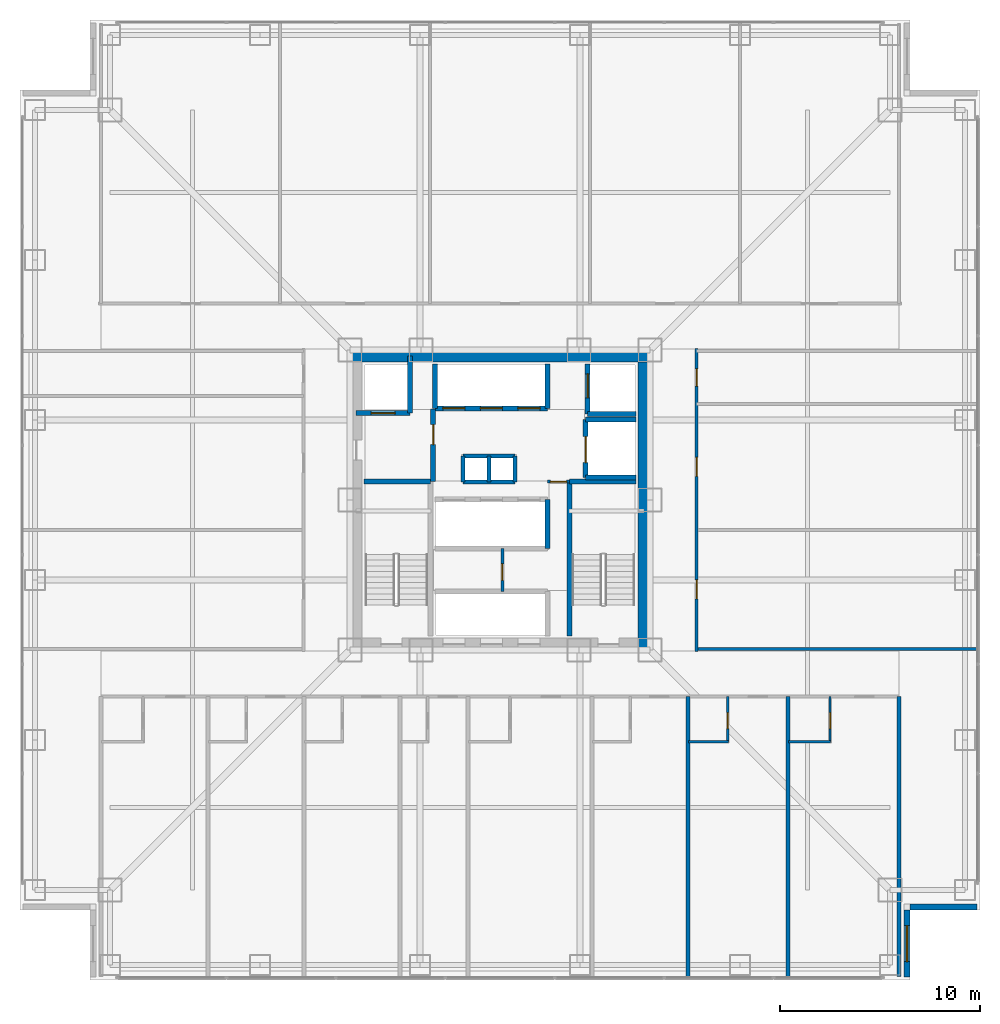
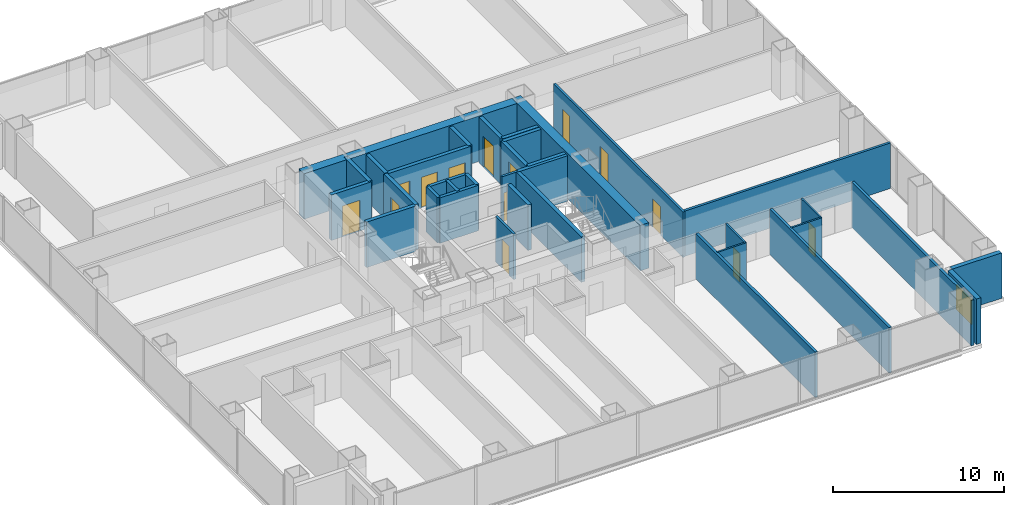
# One storey, part 16 of 20: 35 walls, 14 doors, 1 window, 15 openings.
"""IFC4 building model written with IfcOpenShell, lengths in metres."""

from ifc_helpers import new_model, si_unit, direction, frame, frame_2d, origin, place, context, subcontext, project, spatial, rectangle, extrude, material, layer, layer_set, type_object, element, fill, save


model = new_model("IFC4")

# Units and contexts
model_context = context("Model", 3, precision=1e-05, world=origin(), true_north=direction((0.0, 1.0)))
body_context = subcontext(model_context, "Body", "Model", "MODEL_VIEW")
ifc_project = project(units=[si_unit("LENGTHUNIT", "METRE"), si_unit("AREAUNIT", "SQUARE_METRE"), si_unit("VOLUMEUNIT", "CUBIC_METRE"), si_unit("PLANEANGLEUNIT", "RADIAN"), si_unit("MASSUNIT", "GRAM", prefix="KILO")], contexts=[model_context])

# Site, building, storey
site_placement = place(None, origin())
site = spatial("IfcSite", under=ifc_project, at=site_placement, CompositionType="ELEMENT")
building_placement = place(site_placement, origin())
building = spatial("IfcBuilding", under=site, at=building_placement, Name="Trevonay Congress Spire", CompositionType="ELEMENT")
storey_placement = place(building_placement, frame((0.0, 0.0, 62.0)))
storey = spatial("IfcBuildingStorey", under=building, at=storey_placement, Name="L15", CompositionType="ELEMENT", Elevation=62.0)

# Wall, opening, door
ifc_material_1 = material(Name="Concrete C40/50", Category="concrete")
ifc_layer_1 = layer(ifc_material_1, 0.1201171875, Name="Concrete C40/50")
ifc_layer_set_1 = layer_set([ifc_layer_1], Name="Concrete C40/50")
wall_type_1 = type_object("IfcWallType", Name="WAL-BATH-120", PredefinedType="PLUMBINGWALL", material=ifc_layer_set_1)
wall_1_placement = place(storey_placement, frame((11.388916015625, -12.080078125, 0.0), z_axis=(0.0, 0.0, 1.0), x_axis=(0.0, 1.0, 0.0)))
wall_1 = element("IfcWall", 1, at=wall_1_placement, inside=storey, type_object=wall_type_1, Name="L15 interior wall WH-L15S-BS7", PredefinedType="PLUMBINGWALL", context=body_context, shape_type="SweptSolid", body=[
    extrude(rectangle(XDim=2.25, YDim=0.1201171875, at=frame_2d((1.125, 0.0))), origin(), (0.0, 0.0, 1.0), 3.25),
])
opening_1_placement = place(wall_1_placement, frame((0.64990234375, 0.0, 0.0)))
opening_1 = element("IfcOpeningElement", 2, at=opening_1_placement, cuts=wall_1, Name="Opening D11", PredefinedType="OPENING", context=body_context, shape_type="SweptSolid", body=[
    extrude(rectangle(XDim=0.800048828125, YDim=2.050048828125, at=frame_2d((0.39990234375, 1.02490234375))), frame((0.0, 0.070068359375, 0.0), z_axis=(0.0, -1.0, 0.0), x_axis=(1.0, 0.0, 0.0)), (0.0, 0.0, 1.0), 0.14013671875),
])
ifc_material_2 = material(Name="Pale Anodised Aluminium EN AW-6063-T6", Category="aluminium")
door_type_1 = type_object("IfcDoorType", Name="DOR-BATH-80", OperationType="NOTDEFINED", PredefinedType="DOOR", material=ifc_material_2)
door_1_placement = place(opening_1_placement, origin())
door_1 = element("IfcDoor", 3, at=door_1_placement, inside=storey, type_object=door_type_1, Name="L15 En-suite Bathroom Door", OperationType="SINGLE_SWING_LEFT", OverallHeight=2.050048828125, OverallWidth=0.800048828125, PredefinedType="DOOR", context=body_context, shape_type="SweptSolid", body=[
    extrude(rectangle(XDim=0.800048828125, YDim=2.050048828125, at=frame_2d((0.39990234375, 1.02490234375))), frame((0.0, 0.02490234375, 0.0), z_axis=(0.0, -1.0, 0.0), x_axis=(1.0, 0.0, 0.0)), (0.0, 0.0, 1.0), 0.050048828125),
])
fill(opening_1, door_1)

# Wall
wall_2_placement = place(storey_placement, frame((9.429931640625, -12.080078125, 0.0), z_axis=(0.0, 0.0, 1.0), x_axis=(1.0, 0.0, 0.0)))
element("IfcWall", 4, at=wall_2_placement, inside=storey, type_object=wall_type_1, Name="L15 interior wall WH-L15S-BF7", PredefinedType="PLUMBINGWALL", context=body_context, shape_type="SweptSolid", body=[
    extrude(rectangle(XDim=1.989013671875, YDim=0.1201171875, at=frame_2d((0.99462890625, 0.0))), origin(), (0.0, 0.0, 1.0), 3.25),
])

# Wall, opening, door
wall_3_placement = place(storey_placement, frame((16.5, -12.080078125, 0.0), z_axis=(0.0, 0.0, 1.0), x_axis=(0.0, 1.0, 0.0)))
wall_3 = element("IfcWall", 5, at=wall_3_placement, inside=storey, type_object=wall_type_1, Name="L15 interior wall WH-L15S-BS8", PredefinedType="PLUMBINGWALL", context=body_context, shape_type="SweptSolid", body=[
    extrude(rectangle(XDim=2.25, YDim=0.1201171875, at=frame_2d((1.125, 0.0))), origin(), (0.0, 0.0, 1.0), 3.25),
])
opening_2_placement = place(wall_3_placement, frame((0.64990234375, 0.0, 0.0)))
opening_2 = element("IfcOpeningElement", 6, at=opening_2_placement, cuts=wall_3, Name="Opening D11", PredefinedType="OPENING", context=body_context, shape_type="SweptSolid", body=[
    extrude(rectangle(XDim=0.800048828125, YDim=2.050048828125, at=frame_2d((0.39990234375, 1.02490234375))), frame((0.0, 0.070068359375, 0.0), z_axis=(0.0, -1.0, 0.0), x_axis=(1.0, 0.0, 0.0)), (0.0, 0.0, 1.0), 0.14013671875),
])
door_2_placement = place(opening_2_placement, origin())
door_2 = element("IfcDoor", 7, at=door_2_placement, inside=storey, type_object=door_type_1, Name="L15 En-suite Bathroom Door", OperationType="SINGLE_SWING_RIGHT", OverallHeight=2.050048828125, OverallWidth=0.800048828125, PredefinedType="DOOR", context=body_context, shape_type="SweptSolid", body=[
    extrude(rectangle(XDim=0.800048828125, YDim=2.050048828125, at=frame_2d((0.39990234375, 1.02490234375))), frame((0.0, 0.02490234375, 0.0), z_axis=(0.0, -1.0, 0.0), x_axis=(1.0, 0.0, 0.0)), (0.0, 0.0, 1.0), 0.050048828125),
])
fill(opening_2, door_2)

# Walls
wall_4_placement = place(storey_placement, frame((14.429931640625, -12.080078125, 0.0), z_axis=(0.0, 0.0, 1.0), x_axis=(1.0, 0.0, 0.0)))
element("IfcWall", 8, at=wall_4_placement, inside=storey, type_object=wall_type_1, Name="L15 interior wall WH-L15S-BF8", PredefinedType="PLUMBINGWALL", context=body_context, shape_type="SweptSolid", body=[
    extrude(rectangle(XDim=2.10009765625, YDim=0.1201171875, at=frame_2d((1.050048828125, 0.0))), origin(), (0.0, 0.0, 1.0), 3.25),
])
ifc_material_3 = material(Name="Concrete C60/75", Category="concrete")
ifc_layer_2 = layer(ifc_material_3, 0.60009765625, Name="Concrete C60/75")
ifc_layer_set_2 = layer_set([ifc_layer_2], Name="Concrete C60/75")
wall_type_2 = type_object("IfcWallType", Name="WAL-CORE-600", PredefinedType="SHEAR", material=ifc_layer_set_2)
for number, where, z_axis, x_axis, name in (
    (9, (-7.5, 7.199951171875, 0.0), (0.0, 0.0, 1.0), (1.0, 0.0, 0.0), "L15 North structural core shear wall"),
    (10, (7.199951171875, -7.5, 0.0), (0.0, 0.0, 1.0), (0.0, 1.0, 0.0), "L15 East structural core shear wall"),
):
    element("IfcWall", number, at=place(storey_placement, frame(where, z_axis=z_axis, x_axis=x_axis)), inside=storey, type_object=wall_type_2, Name=name, PredefinedType="SHEAR", context=body_context, shape_type="SweptSolid", body=[
        extrude(rectangle(XDim=15.0, YDim=0.60009765625, at=frame_2d((7.5, 0.0))), origin(), (0.0, 0.0, 1.0), 3.25),
    ])

# Wall, openings, doors
ifc_layer_3 = layer(ifc_material_1, 0.14990234375, Name="Concrete C40/50")
ifc_layer_set_3 = layer_set([ifc_layer_3], Name="Concrete C40/50")
wall_type_3 = type_object("IfcWallType", Name="WAL-CORR-150", PredefinedType="PARTITIONING", material=ifc_layer_set_3)
wall_5_placement = place(storey_placement, frame((9.830078125, -7.570068359375, 0.0), z_axis=(0.0, 0.0, 1.0), x_axis=(0.0, 1.0, 0.0)))
wall_5 = element("IfcWall", 11, at=wall_5_placement, inside=storey, type_object=wall_type_3, Name="L15 interior wall WP-L15E-COR", PredefinedType="PARTITIONING", context=body_context, shape_type="SweptSolid", body=[
    extrude(rectangle(XDim=15.14013671875, YDim=0.14990234375, at=frame_2d((7.570068359375, 0.0))), origin(), (0.0, 0.0, 1.0), 3.25),
])
opening_3_placement = place(wall_5_placement, frame((2.6201171875, 0.0, 0.0)))
opening_3 = element("IfcOpeningElement", 12, at=opening_3_placement, cuts=wall_5, Name="Opening D07", PredefinedType="OPENING", context=body_context, shape_type="SweptSolid", body=[
    extrude(rectangle(XDim=0.949951171875, YDim=2.06005859375, at=frame_2d((0.47509765625, 1.030029296875))), frame((0.0, 0.0849609375, 0.0), z_axis=(0.0, -1.0, 0.0), x_axis=(1.0, 0.0, 0.0)), (0.0, 0.0, 1.0), 0.169921875),
])
opening_4_placement = place(wall_5_placement, frame((8.7451171875, 0.0, 0.0)))
opening_4 = element("IfcOpeningElement", 13, at=opening_4_placement, cuts=wall_5, Name="Opening D07", PredefinedType="OPENING", context=body_context, shape_type="SweptSolid", body=[
    extrude(rectangle(XDim=0.949951171875, YDim=2.06005859375, at=frame_2d((0.47509765625, 1.030029296875))), frame((0.0, 0.0849609375, 0.0), z_axis=(0.0, -1.0, 0.0), x_axis=(1.0, 0.0, 0.0)), (0.0, 0.0, 1.0), 0.169921875),
])
opening_5_placement = place(wall_5_placement, frame((13.27001953125, 0.0, 0.0)))
opening_5 = element("IfcOpeningElement", 14, at=opening_5_placement, cuts=wall_5, Name="Opening D10", PredefinedType="OPENING", context=body_context, shape_type="SweptSolid", body=[
    extrude(rectangle(XDim=0.85009765625, YDim=2.050048828125, at=frame_2d((0.425048828125, 1.02490234375))), frame((0.0, 0.0849609375, 0.0), z_axis=(0.0, -1.0, 0.0), x_axis=(1.0, 0.0, 0.0)), (0.0, 0.0, 1.0), 0.169921875),
])
door_type_2 = type_object("IfcDoorType", Name="DOR-OFFICE-95", OperationType="NOTDEFINED", PredefinedType="DOOR", material=ifc_material_2)
door_3_placement = place(opening_3_placement, origin())
door_3 = element("IfcDoor", 15, at=door_3_placement, inside=storey, type_object=door_type_2, Name="L15 Housekeeping and Linen Room Door", OperationType="SINGLE_SWING_RIGHT", OverallHeight=2.06005859375, OverallWidth=0.949951171875, PredefinedType="DOOR", context=body_context, shape_type="SweptSolid", body=[
    extrude(rectangle(XDim=0.949951171875, YDim=2.06005859375, at=frame_2d((0.47509765625, 1.030029296875))), frame((0.0, 0.02490234375, 0.0), z_axis=(0.0, -1.0, 0.0), x_axis=(1.0, 0.0, 0.0)), (0.0, 0.0, 1.0), 0.050048828125),
])
fill(opening_3, door_3)
door_4_placement = place(opening_4_placement, origin())
door_4 = element("IfcDoor", 16, at=door_4_placement, inside=storey, type_object=door_type_2, Name="L15 Club Pantry Kitchen Door", OperationType="SINGLE_SWING_LEFT", OverallHeight=2.06005859375, OverallWidth=0.949951171875, PredefinedType="DOOR", context=body_context, shape_type="SweptSolid", body=[
    extrude(rectangle(XDim=0.949951171875, YDim=2.06005859375, at=frame_2d((0.47509765625, 1.030029296875))), frame((0.0, 0.02490234375, 0.0), z_axis=(0.0, -1.0, 0.0), x_axis=(1.0, 0.0, 0.0)), (0.0, 0.0, 1.0), 0.050048828125),
])
fill(opening_4, door_4)
door_type_3 = type_object("IfcDoorType", Name="DOR-WC-85", OperationType="NOTDEFINED", PredefinedType="DOOR", material=ifc_material_2)
door_5_placement = place(opening_5_placement, origin())
door_5 = element("IfcDoor", 17, at=door_5_placement, inside=storey, type_object=door_type_3, Name="L15 Female Restroom WC Door", OperationType="SINGLE_SWING_RIGHT", OverallHeight=2.050048828125, OverallWidth=0.85009765625, PredefinedType="DOOR", context=body_context, shape_type="SweptSolid", body=[
    extrude(rectangle(XDim=0.85009765625, YDim=2.050048828125, at=frame_2d((0.425048828125, 1.02490234375))), frame((0.0, 0.02490234375, 0.0), z_axis=(0.0, -1.0, 0.0), x_axis=(1.0, 0.0, 0.0)), (0.0, 0.0, 1.0), 0.050048828125),
])
fill(opening_5, door_5)

# Wall, opening, window
ifc_material_4 = material(Name="Precast concrete C40/50", Category="concrete")
ifc_layer_4 = layer(ifc_material_4, 0.300048828125, Name="Precast concrete C40/50")
ifc_layer_set_4 = layer_set([ifc_layer_4], Name="Precast concrete C40/50")
wall_type_4 = type_object("IfcWallType", Name="WAL-EXT-PRECAST-300", PredefinedType="SOLIDWALL", material=ifc_layer_set_4)
wall_6_placement = place(storey_placement, frame((20.35009765625, -23.85009765625, 0.0), z_axis=(0.0, 0.0, 1.0), x_axis=(0.0, 1.0, 0.0)))
wall_6 = element("IfcWall", 18, at=wall_6_placement, inside=storey, type_object=wall_type_4, Name="L15 SE re-entrant notch exterior wall 1", PredefinedType="SOLIDWALL", context=body_context, shape_type="SweptSolid", body=[
    extrude(rectangle(XDim=3.35009765625, YDim=0.300048828125, at=frame_2d((1.675048828125, 0.0))), origin(), (0.0, 0.0, 1.0), 3.25),
])
opening_6_placement = place(wall_6_placement, frame((0.77490234375, 0.0, 0.89990234375)))
opening_6 = element("IfcOpeningElement", 19, at=opening_6_placement, cuts=wall_6, Name="Opening WN01", PredefinedType="OPENING", context=body_context, shape_type="SweptSolid", body=[
    extrude(rectangle(XDim=1.800048828125, YDim=1.800048828125, at=frame_2d((0.89990234375, 0.89990234375))), frame((0.0, 0.16015625, 0.0), z_axis=(0.0, -1.0, 0.0), x_axis=(1.0, 0.0, 0.0)), (0.0, 0.0, 1.0), 0.320068359375),
])
ifc_material_5 = material(Name="Insulated Low-E Vision Glass IGU", Category="glass")
window_type = type_object("IfcWindowType", Name="WIN-HOTEL-180X180", PartitioningType="SINGLE_PANEL", PredefinedType="WINDOW", material=ifc_material_5)
window_placement = place(opening_6_placement, origin())
window = element("IfcWindow", 20, at=window_placement, inside=storey, type_object=window_type, Name="L15 SE corner notch window", OverallHeight=1.800048828125, OverallWidth=1.800048828125, PartitioningType="SINGLE_PANEL", PredefinedType="WINDOW", context=body_context, shape_type="SweptSolid", body=[
    extrude(rectangle(XDim=1.800048828125, YDim=1.800048828125, at=frame_2d((0.89990234375, 0.89990234375))), frame((0.0, 0.030029296875, 0.0), z_axis=(0.0, -1.0, 0.0), x_axis=(1.0, 0.0, 0.0)), (0.0, 0.0, 1.0), 0.06005859375),
])
fill(opening_6, window)

# Walls
wall_7_placement = place(storey_placement, frame((23.85009765625, -20.35009765625, 0.0), z_axis=(0.0, 0.0, 1.0), x_axis=(-1.0, 0.0, 0.0)))
element("IfcWall", 21, at=wall_7_placement, inside=storey, type_object=wall_type_4, Name="L15 SE re-entrant notch exterior wall 2", PredefinedType="SOLIDWALL", context=body_context, shape_type="SweptSolid", body=[
    extrude(rectangle(XDim=3.35009765625, YDim=0.300048828125, at=frame_2d((1.675048828125, 0.0))), origin(), (0.0, 0.0, 1.0), 3.25),
])
ifc_layer_5 = layer(ifc_material_1, 0.179931640625, Name="Concrete C40/50")
ifc_layer_set_5 = layer_set([ifc_layer_5], Name="Concrete C40/50")
wall_type_5 = type_object("IfcWallType", Name="WAL-HOTEL-180", PredefinedType="PARTITIONING", material=ifc_layer_set_5)
for number, where, z_axis, x_axis, name in (
    (22, (9.39990234375, -23.820068359375, 0.0), (0.0, 0.0, 1.0), (0.0, 1.0, 0.0), "L15 interior wall WH-L15S-DIV7"),
    (23, (14.39990234375, -23.820068359375, 0.0), (0.0, 0.0, 1.0), (0.0, 1.0, 0.0), "L15 interior wall WH-L15S-DIV8"),
    (24, (19.949951171875, -23.820068359375, 0.0), (0.0, 0.0, 1.0), (0.0, 1.0, 0.0), "L15 interior wall WH-L15S-DIV9"),
):
    element("IfcWall", number, at=place(storey_placement, frame(where, z_axis=z_axis, x_axis=x_axis)), inside=storey, type_object=wall_type_5, Name=name, PredefinedType="PARTITIONING", context=body_context, shape_type="SweptSolid", body=[
        extrude(rectangle(XDim=13.989990234375, YDim=0.179931640625, at=frame_2d((6.9951171875, 0.0))), origin(), (0.0, 0.0, 1.0), 3.25),
    ])

# Wall, opening, door
ifc_layer_6 = layer(ifc_material_1, 0.14990234375, Name="Concrete C40/50")
ifc_layer_set_6 = layer_set([ifc_layer_6], Name="Concrete C40/50")
wall_type_6 = type_object("IfcWallType", Name="WAL-PART-150", PredefinedType="PARTITIONING", material=ifc_layer_set_6)
wall_8_placement = place(storey_placement, frame((2.3798828125, 0.919921875, 0.0), z_axis=(0.0, 0.0, 1.0), x_axis=(1.0, 0.0, 0.0)))
wall_8 = element("IfcWall", 25, at=wall_8_placement, inside=storey, type_object=wall_type_6, Name="L15 interior wall CW-CSRV-N-L15", PredefinedType="PARTITIONING", context=body_context, shape_type="SweptSolid", body=[
    extrude(rectangle(XDim=1.090087890625, YDim=0.14990234375, at=frame_2d((0.544921875, 0.0))), origin(), (0.0, 0.0, 1.0), 3.25),
])
opening_7_placement = place(wall_8_placement, frame((0.135009765625, 0.0, 0.0)))
opening_7 = element("IfcOpeningElement", 26, at=opening_7_placement, cuts=wall_8, Name="Opening D13", PredefinedType="OPENING", context=body_context, shape_type="SweptSolid", body=[
    extrude(rectangle(XDim=0.820068359375, YDim=2.050048828125, at=frame_2d((0.41015625, 1.02490234375))), frame((0.0, 0.0849609375, 0.0), z_axis=(0.0, -1.0, 0.0), x_axis=(1.0, 0.0, 0.0)), (0.0, 0.0, 1.0), 0.169921875),
])
ifc_material_6 = material(Name="Steel ASTM A572 Grade 50", Category="steel")
door_type_4 = type_object("IfcDoorType", Name="DOR-UTIL-80", OperationType="NOTDEFINED", PredefinedType="DOOR", material=ifc_material_6)
door_6_placement = place(opening_7_placement, origin())
door_6 = element("IfcDoor", 27, at=door_6_placement, inside=storey, type_object=door_type_4, Name="L15 Core Service Pocket Door", OperationType="SINGLE_SWING_LEFT", OverallHeight=2.050048828125, OverallWidth=0.820068359375, PredefinedType="DOOR", context=body_context, shape_type="SweptSolid", body=[
    extrude(rectangle(XDim=0.820068359375, YDim=2.050048828125, at=frame_2d((0.41015625, 1.02490234375))), frame((0.0, 0.02490234375, 0.0), z_axis=(0.0, -1.0, 0.0), x_axis=(1.0, 0.0, 0.0)), (0.0, 0.0, 1.0), 0.050048828125),
])
fill(opening_7, door_6)

wall_9_placement = place(storey_placement, frame((0.1201171875, -4.570068359375, 0.0), z_axis=(0.0, 0.0, 1.0), x_axis=(0.0, 1.0, 0.0)))
wall_9 = element("IfcWall", 28, at=wall_9_placement, inside=storey, type_object=wall_type_6, Name="L15 interior wall CW-K1-L15", PredefinedType="PARTITIONING", context=body_context, shape_type="SweptSolid", body=[
    extrude(rectangle(XDim=2.14013671875, YDim=0.14990234375, at=frame_2d((1.070068359375, 0.0))), origin(), (0.0, 0.0, 1.0), 3.25),
])
opening_8_placement = place(wall_9_placement, frame((0.550048828125, 0.0, 0.0)))
opening_8 = element("IfcOpeningElement", 29, at=opening_8_placement, cuts=wall_9, Name="Opening D13", PredefinedType="OPENING", context=body_context, shape_type="SweptSolid", body=[
    extrude(rectangle(XDim=0.820068359375, YDim=2.050048828125, at=frame_2d((0.41015625, 1.02490234375))), frame((0.0, 0.0849609375, 0.0), z_axis=(0.0, -1.0, 0.0), x_axis=(1.0, 0.0, 0.0)), (0.0, 0.0, 1.0), 0.169921875),
])
door_7_placement = place(opening_8_placement, origin())
door_7 = element("IfcDoor", 30, at=door_7_placement, inside=storey, type_object=door_type_4, Name="L15 Core Closet Door", OperationType="SINGLE_SWING_RIGHT", OverallHeight=2.050048828125, OverallWidth=0.820068359375, PredefinedType="DOOR", context=body_context, shape_type="SweptSolid", body=[
    extrude(rectangle(XDim=0.820068359375, YDim=2.050048828125, at=frame_2d((0.41015625, 1.02490234375))), frame((0.0, 0.02490234375, 0.0), z_axis=(0.0, -1.0, 0.0), x_axis=(1.0, 0.0, 0.0)), (0.0, 0.0, 1.0), 0.050048828125),
])
fill(opening_8, door_7)

# Walls
ifc_layer_7 = layer(ifc_material_1, 0.219970703125, Name="Concrete C40/50")
ifc_layer_set_7 = layer_set([ifc_layer_7], Name="Concrete C40/50")
wall_type_7 = type_object("IfcWallType", Name="WAL-SHAFT-220", PredefinedType="PARTITIONING", material=ifc_layer_set_7)
for number, where, z_axis, x_axis, name in (
    (31, (-1.85009765625, 2.199951171875, 0.0), (0.0, 0.0, 1.0), (1.0, 0.0, 0.0), "L15 interior shaft wall WSH-L15-RSR-N"),
    (32, (-1.85009765625, 0.89990234375, 0.0), (0.0, 0.0, 1.0), (1.0, 0.0, 0.0), "L15 interior shaft wall WSH-L15-RSR-S"),
):
    element("IfcWall", number, at=place(storey_placement, frame(where, z_axis=z_axis, x_axis=x_axis)), inside=storey, type_object=wall_type_7, Name=name, PredefinedType="PARTITIONING", context=body_context, shape_type="SweptSolid", body=[
        extrude(rectangle(XDim=2.60009765625, YDim=0.219970703125, at=frame_2d((1.300048828125, 0.0))), origin(), (0.0, 0.0, 1.0), 3.25),
    ])
for number, where, z_axis, x_axis, name in (
    (33, (-0.550048828125, 0.89990234375, 0.0), (0.0, 0.0, 1.0), (0.0, 1.0, 0.0), "L15 interior shaft wall WSH-L15-RSR-M"),
    (34, (0.75, 0.89990234375, 0.0), (0.0, 0.0, 1.0), (0.0, 1.0, 0.0), "L15 interior shaft wall WSH-L15-RSR-E"),
    (35, (-1.85009765625, 0.89990234375, 0.0), (0.0, 0.0, 1.0), (0.0, 1.0, 0.0), "L15 interior shaft wall WSH-L15-RSR-W"),
):
    element("IfcWall", number, at=place(storey_placement, frame(where, z_axis=z_axis, x_axis=x_axis)), inside=storey, type_object=wall_type_7, Name=name, PredefinedType="PARTITIONING", context=body_context, shape_type="SweptSolid", body=[
        extrude(rectangle(XDim=1.300048828125, YDim=0.219970703125, at=frame_2d((0.64990234375, 0.0))), origin(), (0.0, 0.0, 1.0), 3.25),
    ])
ifc_layer_8 = layer(ifc_material_1, 0.25, Name="Concrete C40/50")
ifc_layer_set_8 = layer_set([ifc_layer_8], Name="Concrete C40/50")
wall_type_8 = type_object("IfcWallType", Name="WAL-SHAFT-250", PredefinedType="SHEAR", material=ifc_layer_set_8)
wall_10_placement = place(storey_placement, frame((2.3798828125, -2.419921875, 0.0), z_axis=(0.0, 0.0, 1.0), x_axis=(0.0, 1.0, 0.0)))
element("IfcWall", 36, at=wall_10_placement, inside=storey, type_object=wall_type_8, Name="L15 interior shaft wall WSH-L15-B2-E", PredefinedType="SHEAR", context=body_context, shape_type="SweptSolid", body=[
    extrude(rectangle(XDim=2.43994140625, YDim=0.25, at=frame_2d((1.219970703125, 0.0))), origin(), (0.0, 0.0, 1.0), 3.25),
])

# Wall, openings, doors
wall_11_placement = place(storey_placement, frame((-3.260009765625, 4.580078125, 0.0), z_axis=(0.0, 0.0, 1.0), x_axis=(1.0, 0.0, 0.0)))
wall_11 = element("IfcWall", 37, at=wall_11_placement, inside=storey, type_object=wall_type_8, Name="L15 interior shaft wall WSH-L15-B3-S", PredefinedType="SHEAR", context=body_context, shape_type="SweptSolid", body=[
    extrude(rectangle(XDim=5.639892578125, YDim=0.25, at=frame_2d((2.81982421875, 0.0))), origin(), (0.0, 0.0, 1.0), 3.25),
])
opening_9_placement = place(wall_11_placement, frame((0.39990234375, 0.0, 0.0)))
opening_9 = element("IfcOpeningElement", 38, at=opening_9_placement, cuts=wall_11, Name="Opening LD03", PredefinedType="OPENING", context=body_context, shape_type="SweptSolid", body=[
    extrude(rectangle(XDim=1.10009765625, YDim=2.199951171875, at=frame_2d((0.550048828125, 1.10009765625))), frame((0.0, 0.135009765625, 0.0), z_axis=(0.0, -1.0, 0.0), x_axis=(1.0, 0.0, 0.0)), (0.0, 0.0, 1.0), 0.27001953125),
])
opening_10_placement = place(wall_11_placement, frame((2.280029296875, 0.0, 0.0)))
opening_10 = element("IfcOpeningElement", 39, at=opening_10_placement, cuts=wall_11, Name="Opening LD03", PredefinedType="OPENING", context=body_context, shape_type="SweptSolid", body=[
    extrude(rectangle(XDim=1.10009765625, YDim=2.199951171875, at=frame_2d((0.550048828125, 1.10009765625))), frame((0.0, 0.135009765625, 0.0), z_axis=(0.0, -1.0, 0.0), x_axis=(1.0, 0.0, 0.0)), (0.0, 0.0, 1.0), 0.27001953125),
])
opening_11_placement = place(wall_11_placement, frame((4.159912109375, 0.0, 0.0)))
opening_11 = element("IfcOpeningElement", 40, at=opening_11_placement, cuts=wall_11, Name="Opening LD03", PredefinedType="OPENING", context=body_context, shape_type="SweptSolid", body=[
    extrude(rectangle(XDim=1.10009765625, YDim=2.199951171875, at=frame_2d((0.550048828125, 1.10009765625))), frame((0.0, 0.135009765625, 0.0), z_axis=(0.0, -1.0, 0.0), x_axis=(1.0, 0.0, 0.0)), (0.0, 0.0, 1.0), 0.27001953125),
])
door_type_5 = type_object("IfcDoorType", Name="DOR-LIFT-LD03", OperationType="DOUBLE_DOOR_SLIDING", PredefinedType="DOOR", material=ifc_material_2)
door_8_placement = place(opening_9_placement, origin())
door_8 = element("IfcDoor", 41, at=door_8_placement, inside=storey, type_object=door_type_5, Name="L15 Passenger lift PL-07 landing door", OperationType="DOUBLE_DOOR_SLIDING", OverallHeight=2.199951171875, OverallWidth=1.10009765625, PredefinedType="DOOR", context=body_context, shape_type="SweptSolid", body=[
    extrude(rectangle(XDim=1.10009765625, YDim=2.199951171875, at=frame_2d((0.550048828125, 1.10009765625))), frame((0.0, 0.02490234375, 0.0), z_axis=(0.0, -1.0, 0.0), x_axis=(1.0, 0.0, 0.0)), (0.0, 0.0, 1.0), 0.050048828125),
])
fill(opening_9, door_8)
door_9_placement = place(opening_10_placement, origin())
door_9 = element("IfcDoor", 42, at=door_9_placement, inside=storey, type_object=door_type_5, Name="L15 Passenger lift PL-08 landing door", OperationType="DOUBLE_DOOR_SLIDING", OverallHeight=2.199951171875, OverallWidth=1.10009765625, PredefinedType="DOOR", context=body_context, shape_type="SweptSolid", body=[
    extrude(rectangle(XDim=1.10009765625, YDim=2.199951171875, at=frame_2d((0.550048828125, 1.10009765625))), frame((0.0, 0.02490234375, 0.0), z_axis=(0.0, -1.0, 0.0), x_axis=(1.0, 0.0, 0.0)), (0.0, 0.0, 1.0), 0.050048828125),
])
fill(opening_10, door_9)
door_10_placement = place(opening_11_placement, origin())
door_10 = element("IfcDoor", 43, at=door_10_placement, inside=storey, type_object=door_type_5, Name="L15 Passenger lift PL-09 landing door", OperationType="DOUBLE_DOOR_SLIDING", OverallHeight=2.199951171875, OverallWidth=1.10009765625, PredefinedType="DOOR", context=body_context, shape_type="SweptSolid", body=[
    extrude(rectangle(XDim=1.10009765625, YDim=2.199951171875, at=frame_2d((0.550048828125, 1.10009765625))), frame((0.0, 0.02490234375, 0.0), z_axis=(0.0, -1.0, 0.0), x_axis=(1.0, 0.0, 0.0)), (0.0, 0.0, 1.0), 0.050048828125),
])
fill(opening_11, door_10)

# Walls
for number, where, z_axis, x_axis, name in (
    (44, (-3.260009765625, 4.580078125, 0.0), (0.0, 0.0, 1.0), (0.0, 1.0, 0.0), "L15 interior shaft wall WSH-L15-B3-W"),
    (45, (2.3798828125, 4.580078125, 0.0), (0.0, 0.0, 1.0), (0.0, 1.0, 0.0), "L15 interior shaft wall WSH-L15-B3-E"),
):
    element("IfcWall", number, at=place(storey_placement, frame(where, z_axis=z_axis, x_axis=x_axis)), inside=storey, type_object=wall_type_8, Name=name, PredefinedType="SHEAR", context=body_context, shape_type="SweptSolid", body=[
        extrude(rectangle(XDim=2.219970703125, YDim=0.25, at=frame_2d((1.10986328125, 0.0))), origin(), (0.0, 0.0, 1.0), 3.25),
    ])

# Wall, opening, door
wall_12_placement = place(storey_placement, frame((-7.199951171875, 4.35009765625, 0.0), z_axis=(0.0, 0.0, 1.0), x_axis=(1.0, 0.0, 0.0)))
wall_12 = element("IfcWall", 46, at=wall_12_placement, inside=storey, type_object=wall_type_8, Name="L15 interior shaft wall WSH-L15-FF1-S", PredefinedType="SHEAR", context=body_context, shape_type="SweptSolid", body=[
    extrude(rectangle(XDim=2.699951171875, YDim=0.25, at=frame_2d((1.35009765625, 0.0))), origin(), (0.0, 0.0, 1.0), 3.25),
])
opening_12_placement = place(wall_12_placement, frame((0.75, 0.0, 0.0)))
opening_12 = element("IfcOpeningElement", 47, at=opening_12_placement, cuts=wall_12, Name="Opening LD04", PredefinedType="OPENING", context=body_context, shape_type="SweptSolid", body=[
    extrude(rectangle(XDim=1.199951171875, YDim=2.199951171875, at=frame_2d((0.60009765625, 1.10009765625))), frame((0.0, 0.135009765625, 0.0), z_axis=(0.0, -1.0, 0.0), x_axis=(1.0, 0.0, 0.0)), (0.0, 0.0, 1.0), 0.27001953125),
])
door_type_6 = type_object("IfcDoorType", Name="DOR-LIFT-LD04", OperationType="DOUBLE_DOOR_SLIDING", PredefinedType="DOOR", material=ifc_material_6)
door_11_placement = place(opening_12_placement, origin())
door_11 = element("IfcDoor", 48, at=door_11_placement, inside=storey, type_object=door_type_6, Name="L15 Firefighting lift FFL-01 landing door", OperationType="DOUBLE_DOOR_SLIDING", OverallHeight=2.199951171875, OverallWidth=1.199951171875, PredefinedType="DOOR", context=body_context, shape_type="SweptSolid", body=[
    extrude(rectangle(XDim=1.199951171875, YDim=2.199951171875, at=frame_2d((0.60009765625, 1.10009765625))), frame((0.0, 0.02490234375, 0.0), z_axis=(0.0, -1.0, 0.0), x_axis=(1.0, 0.0, 0.0)), (0.0, 0.0, 1.0), 0.050048828125),
])
fill(opening_12, door_11)

# Walls
wall_13_placement = place(storey_placement, frame((-4.5, 4.35009765625, 0.0), z_axis=(0.0, 0.0, 1.0), x_axis=(0.0, 1.0, 0.0)))
element("IfcWall", 49, at=wall_13_placement, inside=storey, type_object=wall_type_8, Name="L15 interior shaft wall WSH-L15-FF1-E", PredefinedType="SHEAR", context=body_context, shape_type="SweptSolid", body=[
    extrude(rectangle(XDim=2.849853515625, YDim=0.25, at=frame_2d((1.4248046875, 0.0))), origin(), (0.0, 0.0, 1.0), 3.25),
])
wall_14_placement = place(storey_placement, frame((4.3798828125, 4.300048828125, 0.0), z_axis=(0.0, 0.0, 1.0), x_axis=(1.0, 0.0, 0.0)))
element("IfcWall", 50, at=wall_14_placement, inside=storey, type_object=wall_type_8, Name="L15 interior shaft wall WSH-L15-FF2-S", PredefinedType="SHEAR", context=body_context, shape_type="SweptSolid", body=[
    extrude(rectangle(XDim=2.420166015625, YDim=0.25, at=frame_2d((1.2099609375, 0.0))), origin(), (0.0, 0.0, 1.0), 3.25),
])

# Wall, opening, door
wall_15_placement = place(storey_placement, frame((4.3798828125, 4.300048828125, 0.0), z_axis=(0.0, 0.0, 1.0), x_axis=(0.0, 1.0, 0.0)))
wall_15 = element("IfcWall", 51, at=wall_15_placement, inside=storey, type_object=wall_type_8, Name="L15 interior shaft wall WSH-L15-FF2-W", PredefinedType="SHEAR", context=body_context, shape_type="SweptSolid", body=[
    extrude(rectangle(XDim=2.5, YDim=0.25, at=frame_2d((1.25, 0.0))), origin(), (0.0, 0.0, 1.0), 3.25),
])
opening_13_placement = place(wall_15_placement, frame((0.800048828125, 0.0, 0.0)))
opening_13 = element("IfcOpeningElement", 52, at=opening_13_placement, cuts=wall_15, Name="Opening LD04", PredefinedType="OPENING", context=body_context, shape_type="SweptSolid", body=[
    extrude(rectangle(XDim=1.199951171875, YDim=2.199951171875, at=frame_2d((0.60009765625, 1.10009765625))), frame((0.0, 0.135009765625, 0.0), z_axis=(0.0, -1.0, 0.0), x_axis=(1.0, 0.0, 0.0)), (0.0, 0.0, 1.0), 0.27001953125),
])
door_12_placement = place(opening_13_placement, origin())
door_12 = element("IfcDoor", 53, at=door_12_placement, inside=storey, type_object=door_type_6, Name="L15 Firefighting lift FFL-02 landing door", OperationType="DOUBLE_DOOR_SLIDING", OverallHeight=2.199951171875, OverallWidth=1.199951171875, PredefinedType="DOOR", context=body_context, shape_type="SweptSolid", body=[
    extrude(rectangle(XDim=1.199951171875, YDim=2.199951171875, at=frame_2d((0.60009765625, 1.10009765625))), frame((0.0, 0.02490234375, 0.0), z_axis=(0.0, -1.0, 0.0), x_axis=(1.0, 0.0, 0.0)), (0.0, 0.0, 1.0), 0.050048828125),
])
fill(opening_13, door_12)

wall_16_placement = place(storey_placement, frame((4.280029296875, 1.1201171875, 0.0), z_axis=(0.0, 0.0, 1.0), x_axis=(0.0, 1.0, 0.0)))
wall_16 = element("IfcWall", 54, at=wall_16_placement, inside=storey, type_object=wall_type_8, Name="L15 interior shaft wall WSH-L15-SV-W", PredefinedType="SHEAR", context=body_context, shape_type="SweptSolid", body=[
    extrude(rectangle(XDim=2.89990234375, YDim=0.25, at=frame_2d((1.449951171875, 0.0))), origin(), (0.0, 0.0, 1.0), 3.25),
])
opening_14_placement = place(wall_16_placement, frame((0.75, 0.0, 0.0)))
opening_14 = element("IfcOpeningElement", 55, at=opening_14_placement, cuts=wall_16, Name="Opening LD05", PredefinedType="OPENING", context=body_context, shape_type="SweptSolid", body=[
    extrude(rectangle(XDim=1.300048828125, YDim=2.300048828125, at=frame_2d((0.64990234375, 1.14990234375))), frame((0.0, 0.135009765625, 0.0), z_axis=(0.0, -1.0, 0.0), x_axis=(1.0, 0.0, 0.0)), (0.0, 0.0, 1.0), 0.27001953125),
])
door_type_7 = type_object("IfcDoorType", Name="DOR-LIFT-LD05", OperationType="DOUBLE_DOOR_SLIDING", PredefinedType="DOOR", material=ifc_material_6)
door_13_placement = place(opening_14_placement, origin())
door_13 = element("IfcDoor", 56, at=door_13_placement, inside=storey, type_object=door_type_7, Name="L15 Goods lift SVL-01 landing door", OperationType="DOUBLE_DOOR_SLIDING", OverallHeight=2.300048828125, OverallWidth=1.300048828125, PredefinedType="DOOR", context=body_context, shape_type="SweptSolid", body=[
    extrude(rectangle(XDim=1.300048828125, YDim=2.300048828125, at=frame_2d((0.64990234375, 1.14990234375))), frame((0.0, 0.02490234375, 0.0), z_axis=(0.0, -1.0, 0.0), x_axis=(1.0, 0.0, 0.0)), (0.0, 0.0, 1.0), 0.050048828125),
])
fill(opening_14, door_13)

# Walls
for number, where, z_axis, x_axis, name in (
    (57, (4.280029296875, 1.1201171875, 0.0), (0.0, 0.0, 1.0), (1.0, 0.0, 0.0), "L15 interior shaft wall WSH-L15-SV-S"),
    (58, (4.280029296875, 4.02001953125, 0.0), (0.0, 0.0, 1.0), (1.0, 0.0, 0.0), "L15 interior shaft wall WSH-L15-SV-N"),
):
    element("IfcWall", number, at=place(storey_placement, frame(where, z_axis=z_axis, x_axis=x_axis)), inside=storey, type_object=wall_type_8, Name=name, PredefinedType="SHEAR", context=body_context, shape_type="SweptSolid", body=[
        extrude(rectangle(XDim=2.52001953125, YDim=0.25, at=frame_2d((1.260009765625, 0.0))), origin(), (0.0, 0.0, 1.0), 3.25),
    ])

# Wall, opening, door
wall_17_placement = place(storey_placement, frame((-3.35009765625, 0.919921875, 0.0), z_axis=(0.0, 0.0, 1.0), x_axis=(0.0, 1.0, 0.0)))
wall_17 = element("IfcWall", 59, at=wall_17_placement, inside=storey, type_object=wall_type_8, Name="L15 interior wall CW-FFLW-E-L15", PredefinedType="SHEAR", context=body_context, shape_type="SweptSolid", body=[
    extrude(rectangle(XDim=3.6201171875, YDim=0.25, at=frame_2d((1.81005859375, 0.0))), origin(), (0.0, 0.0, 1.0), 3.25),
])
opening_15_placement = place(wall_17_placement, frame((1.85009765625, 0.0, 0.0)))
opening_15 = element("IfcOpeningElement", 60, at=opening_15_placement, cuts=wall_17, Name="Opening D06", PredefinedType="OPENING", context=body_context, shape_type="SweptSolid", body=[
    extrude(rectangle(XDim=1.0, YDim=2.080078125, at=frame_2d((0.5, 1.0400390625))), frame((0.0, 0.135009765625, 0.0), z_axis=(0.0, -1.0, 0.0), x_axis=(1.0, 0.0, 0.0)), (0.0, 0.0, 1.0), 0.27001953125),
])
door_type_8 = type_object("IfcDoorType", Name="DOR-FIRE-100", OperationType="NOTDEFINED", PredefinedType="DOOR", material=ifc_material_6)
door_14_placement = place(opening_15_placement, origin())
door_14 = element("IfcDoor", 61, at=door_14_placement, inside=storey, type_object=door_type_8, Name="L15 Firefighting Core Lobby Transfer Door", OperationType="SINGLE_SWING_RIGHT", OverallHeight=2.080078125, OverallWidth=1.0, PredefinedType="DOOR", context=body_context, shape_type="SweptSolid", body=[
    extrude(rectangle(XDim=1.0, YDim=2.080078125, at=frame_2d((0.5, 1.0400390625))), frame((0.0, 0.02490234375, 0.0), z_axis=(0.0, -1.0, 0.0), x_axis=(1.0, 0.0, 0.0)), (0.0, 0.0, 1.0), 0.050048828125),
])
fill(opening_15, door_14)

# Walls
ifc_layer_9 = layer(ifc_material_1, 0.25, Name="Concrete C40/50")
ifc_layer_set_9 = layer_set([ifc_layer_9], Name="Concrete C40/50")
wall_type_9 = type_object("IfcWallType", Name="WAL-SHAFT-LB-250", PredefinedType="SHEAR", material=ifc_layer_set_9)
wall_18_placement = place(storey_placement, frame((-6.800048828125, 0.919921875, 0.0), z_axis=(0.0, 0.0, 1.0), x_axis=(1.0, 0.0, 0.0)))
element("IfcWall", 62, at=wall_18_placement, inside=storey, type_object=wall_type_9, Name="L15 interior shaft wall WSH-L15-ST1-N", PredefinedType="SHEAR", context=body_context, shape_type="SweptSolid", body=[
    extrude(rectangle(XDim=3.330078125, YDim=0.25, at=frame_2d((1.6650390625, 0.0))), origin(), (0.0, 0.0, 1.0), 3.25),
])
wall_19_placement = place(storey_placement, frame((3.469970703125, -6.800048828125, 0.0), z_axis=(0.0, 0.0, 1.0), x_axis=(0.0, 1.0, 0.0)))
element("IfcWall", 63, at=wall_19_placement, inside=storey, type_object=wall_type_9, Name="L15 interior shaft wall WSH-L15-ST2-W", PredefinedType="SHEAR", context=body_context, shape_type="SweptSolid", body=[
    extrude(rectangle(XDim=7.719970703125, YDim=0.25, at=frame_2d((3.85986328125, 0.0))), origin(), (0.0, 0.0, 1.0), 3.25),
])
wall_20_placement = place(storey_placement, frame((3.469970703125, 0.919921875, 0.0), z_axis=(0.0, 0.0, 1.0), x_axis=(1.0, 0.0, 0.0)))
element("IfcWall", 64, at=wall_20_placement, inside=storey, type_object=wall_type_9, Name="L15 interior shaft wall WSH-L15-ST2-N", PredefinedType="SHEAR", context=body_context, shape_type="SweptSolid", body=[
    extrude(rectangle(XDim=3.330078125, YDim=0.25, at=frame_2d((1.6650390625, 0.0))), origin(), (0.0, 0.0, 1.0), 3.25),
])
ifc_layer_10 = layer(ifc_material_1, 0.1650390625, Name="Concrete C40/50")
ifc_layer_set_10 = layer_set([ifc_layer_10], Name="Concrete C40/50")
wall_type_10 = type_object("IfcWallType", Name="WAL-WET-165", PredefinedType="PLUMBINGWALL", material=ifc_layer_set_10)
wall_21_placement = place(storey_placement, frame((9.830078125, -7.449951171875, 0.0), z_axis=(0.0, 0.0, 1.0), x_axis=(1.0, 0.0, 0.0)))
element("IfcWall", 65, at=wall_21_placement, inside=storey, type_object=wall_type_10, Name="L15 interior wall WP-L15E-DIV1", PredefinedType="PLUMBINGWALL", context=body_context, shape_type="SweptSolid", body=[
    extrude(rectangle(XDim=13.989990234375, YDim=0.1650390625, at=frame_2d((6.9951171875, 0.0))), origin(), (0.0, 0.0, 1.0), 3.25),
])

save(model, "model.ifc")
